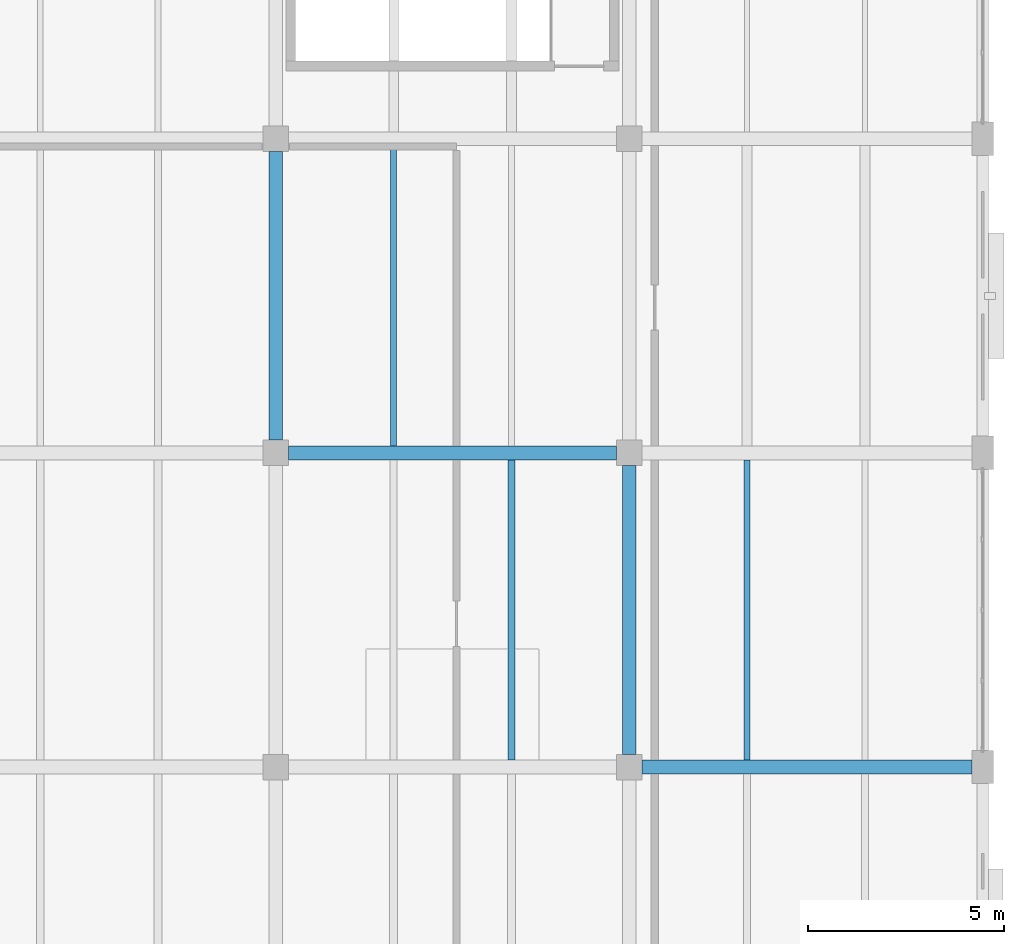
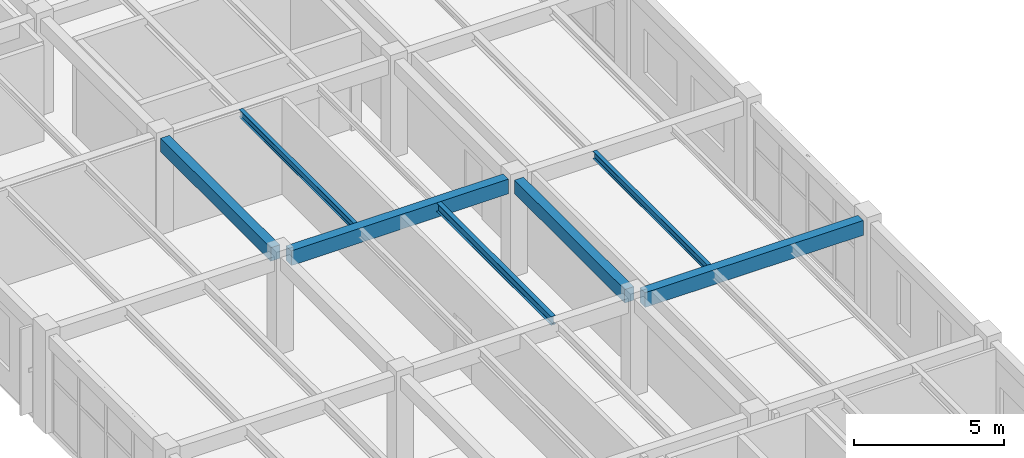
# One storey, part 42 of 71: 7 beams.
"""IFC4 building model written with IfcOpenShell, lengths in metres."""

from ifc_helpers import new_model, si_unit, derived_unit, direction, frame, origin, origin_2d, place, context, subcontext, project, spatial, rectangle, i_section, extrude, material, material_profile, profile_set, type_object, element, save


model = new_model("IFC4")

# Units and contexts
model_context = context("Model", 3, precision=1e-05, world=origin(), true_north=direction((0.0, 1.0)))
body_context = subcontext(model_context, "Body", "Model", "MODEL_VIEW")
ifc_project = project(units=[si_unit("LENGTHUNIT", "METRE"), si_unit("AREAUNIT", "SQUARE_METRE"), si_unit("VOLUMEUNIT", "CUBIC_METRE"), si_unit("PLANEANGLEUNIT", "RADIAN"), si_unit("MASSUNIT", "GRAM", prefix="KILO"), derived_unit("THERMALTRANSMITTANCEUNIT", [(si_unit("MASSUNIT", "GRAM", prefix="KILO"), 1), (si_unit("TIMEUNIT", "SECOND"), -3), (si_unit("THERMODYNAMICTEMPERATUREUNIT", "KELVIN"), -1)])], contexts=[model_context])

# Site, building, storey
site_placement = place(None, origin())
site = spatial("IfcSite", under=ifc_project, at=site_placement, CompositionType="ELEMENT")
building_placement = place(site_placement, origin())
building = spatial("IfcBuilding", under=site, at=building_placement, Name="Zhenchuan Archway Interchange", CompositionType="ELEMENT")
storey_placement = place(building_placement, frame((0.0, 0.0, 18.60009765625)))
storey = spatial("IfcBuildingStorey", under=building, at=storey_placement, Name="L04", CompositionType="ELEMENT", Elevation=18.60009765625)

# Beams
ifc_material_1 = material(Name="Concrete C40", Category="concrete")
ifc_material_profile_1 = material_profile(ifc_material_1, rectangle(XDim=0.35009765625, YDim=0.550048828125, at=origin_2d()), Name="RC 350x550")
ifc_profile_set_1 = profile_set([ifc_material_profile_1], Name="Concrete C40")
beam_type_1 = type_object("IfcBeamType", Name="BM_RC_350x550", PredefinedType="BEAM", material=ifc_profile_set_1)
for number, where, z_axis, x_axis, name in (
    (1, (153.0, 80.324951171875, 3.664794921875), (0.0, 1.0, 0.0), (-1.0, 0.0, 0.0), "Beam 18:L-M (L04)"),
    (2, (162.0, 72.324951171875, 3.664794921875), (0.0, 1.0, 0.0), (-1.0, 0.0, 0.0), "Beam 19:K-L (L04)"),
):
    element("IfcBeam", number, at=place(storey_placement, frame(where, z_axis=z_axis, x_axis=x_axis)), inside=storey, type_object=beam_type_1, Name=name, PredefinedType="BEAM", context=body_context, shape_type="SweptSolid", body=[
        extrude(rectangle(XDim=0.35009765625, YDim=0.550048828125, at=origin_2d()), origin(), (0.0, 0.0, 1.0), 7.35009765625),
    ])
ifc_material_profile_2 = material_profile(ifc_material_1, rectangle(XDim=0.35009765625, YDim=0.60009765625, at=origin_2d()), Name="RC 350x600")
ifc_profile_set_2 = profile_set([ifc_material_profile_2], Name="Concrete C40")
beam_type_2 = type_object("IfcBeamType", Name="BM_RC_350x600", PredefinedType="BEAM", material=ifc_profile_set_2)
beam_1_placement = place(storey_placement, frame((162.324951171875, 72.0, 3.639892578125), z_axis=(1.0, 0.0, 0.0), x_axis=(0.0, 1.0, 0.0)))
element("IfcBeam", 3, at=beam_1_placement, inside=storey, type_object=beam_type_2, Name="Beam K:19-20 (L04)", PredefinedType="BEAM", context=body_context, shape_type="SweptSolid", body=[
    extrude(rectangle(XDim=0.35009765625, YDim=0.60009765625, at=origin_2d()), origin(), (0.0, 0.0, 1.0), 8.400146484375),
])
beam_2_placement = place(storey_placement, frame((153.324951171875, 80.0, 3.639892578125), z_axis=(1.0, 0.0, 0.0), x_axis=(0.0, 1.0, 0.0)))
element("IfcBeam", 4, at=beam_2_placement, inside=storey, type_object=beam_type_2, Name="Beam L:18-19 (L04)", PredefinedType="BEAM", context=body_context, shape_type="SweptSolid", body=[
    extrude(rectangle(XDim=0.35009765625, YDim=0.60009765625, at=origin_2d()), origin(), (0.0, 0.0, 1.0), 8.35009765625),
])
ifc_material_2 = material(Name="Steel Q355", Category="steel")
ifc_material_profile_3 = material_profile(ifc_material_2, i_section(OverallWidth=0.14990234375, OverallDepth=0.300048828125, WebThickness=0.006591796875, FlangeThickness=0.009033203125, FilletRadius=0.012939453125, at=origin_2d()), Name="HN 300x150")
ifc_profile_set_3 = profile_set([ifc_material_profile_3], Name="Steel Q355")
beam_type_3 = type_object("IfcBeamType", Name="JST_STL_HN300", PredefinedType="JOIST", material=ifc_profile_set_3)
for number, where, z_axis, x_axis, name in (
    (5, (156.0, 80.175048828125, 3.789794921875), (0.0, 1.0, 0.0), (-1.0, 0.0, 0.0), "Secondary joist 18-19/L-M #1 (L04)"),
    (6, (165.0, 72.175048828125, 3.789794921875), (0.0, 1.0, 0.0), (-1.0, 0.0, 0.0), "Secondary joist 19-20/K-L #1 (L04)"),
):
    element("IfcBeam", number, at=place(storey_placement, frame(where, z_axis=z_axis, x_axis=x_axis)), inside=storey, type_object=beam_type_3, Name=name, PredefinedType="JOIST", context=body_context, shape_type="SweptSolid", body=[
        extrude(i_section(OverallWidth=0.14990234375, OverallDepth=0.300048828125, WebThickness=0.006591796875, FlangeThickness=0.009033203125, FilletRadius=0.012939453125, at=origin_2d()), origin(), (0.0, 0.0, 1.0), 7.64990234375),
    ])
ifc_material_profile_4 = material_profile(ifc_material_2, i_section(OverallWidth=0.175048828125, OverallDepth=0.35009765625, WebThickness=0.007080078125, FlangeThickness=0.010986328125, FilletRadius=0.013916015625, at=origin_2d()), Name="HN 350x175")
ifc_profile_set_4 = profile_set([ifc_material_profile_4], Name="Steel Q355")
beam_type_4 = type_object("IfcBeamType", Name="JST_STL_HN350", PredefinedType="JOIST", material=ifc_profile_set_4)
beam_3_placement = place(storey_placement, frame((159.0, 72.175048828125, 3.764892578125), z_axis=(0.0, 1.0, 0.0), x_axis=(-1.0, 0.0, 0.0)))
element("IfcBeam", 7, at=beam_3_placement, inside=storey, type_object=beam_type_4, Name="Secondary joist 18-19/K-L #2 (L04)", PredefinedType="JOIST", context=body_context, shape_type="SweptSolid", body=[
    extrude(i_section(OverallWidth=0.175048828125, OverallDepth=0.35009765625, WebThickness=0.007080078125, FlangeThickness=0.010986328125, FilletRadius=0.013916015625, at=origin_2d()), origin(), (0.0, 0.0, 1.0), 7.64990234375),
])

save(model, "model.ifc")
